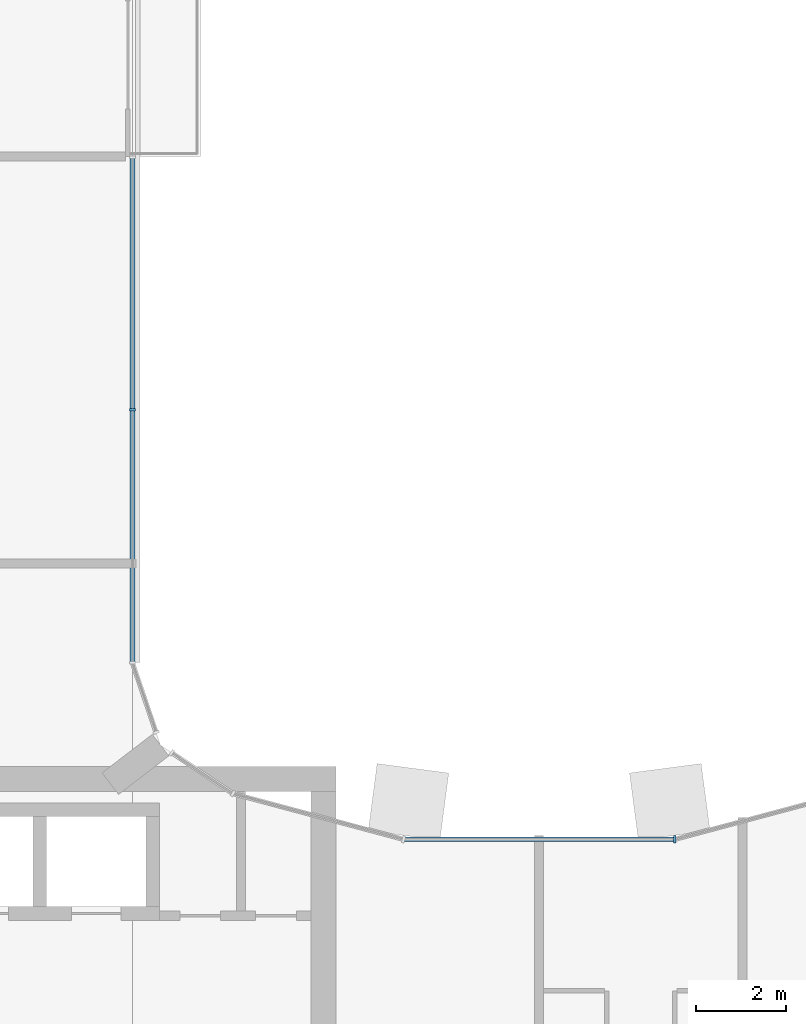
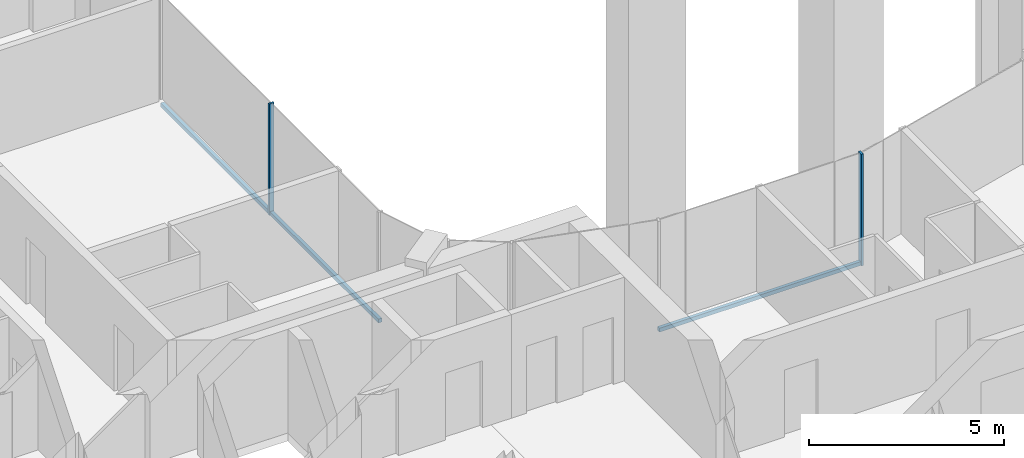
# One storey, part 5 of 17: 4 members, 2 elements without a shape of their own.
"""IFC4 building model written with IfcOpenShell, lengths in metres."""

from ifc_helpers import new_model, si_unit, direction, frame, origin, origin_2d, place, context, subcontext, project, spatial, rectangle, extrude, material, layer, layer_set, material_profile, profile_set, type_object, element, aggregate, save


model = new_model("IFC4")

# Units and contexts
model_context = context("Model", 3, precision=1e-05, world=origin(), true_north=direction((0.0, 1.0)))
body_context = subcontext(model_context, "Body", "Model", "MODEL_VIEW")
ifc_project = project(units=[si_unit("LENGTHUNIT", "METRE"), si_unit("AREAUNIT", "SQUARE_METRE"), si_unit("VOLUMEUNIT", "CUBIC_METRE"), si_unit("PLANEANGLEUNIT", "RADIAN"), si_unit("MASSUNIT", "GRAM", prefix="KILO")], contexts=[model_context])

# Site, building, storey
site_placement = place(None, origin())
site = spatial("IfcSite", under=ifc_project, at=site_placement, CompositionType="ELEMENT")
building_placement = place(site_placement, origin())
building = spatial("IfcBuilding", under=site, at=building_placement, Name="Plateau Cross Towers", CompositionType="ELEMENT")
storey_placement = place(building_placement, frame((0.0, 0.0, 190.89990234375)))
storey = spatial("IfcBuildingStorey", under=building, at=storey_placement, Name="L49", CompositionType="ELEMENT", Elevation=190.89990234375)

# Curtain wall, member
ifc_material_1 = material(Name="Dark low-iron glass", Category="glass")
ifc_layer_1 = layer(ifc_material_1, 0.239990234375)
ifc_layer_set_1 = layer_set([ifc_layer_1], Name="Dark low-iron glass")
curtain_wall_type_1 = type_object("IfcCurtainWallType", Name="Curtain wall flush unitised CW-B", PredefinedType="NOTDEFINED", material=ifc_layer_set_1)
curtain_wall_1_placement = place(storey_placement, origin())
curtain_wall_1 = element("IfcCurtainWall", 1, at=curtain_wall_1_placement, inside=storey, type_object=curtain_wall_type_1, Name="ENV/A/L49/A180_203", PredefinedType="NOTDEFINED")
ifc_material_2 = material(Name="Black anodised aluminium", Category="aluminium")
ifc_material_profile_1 = material_profile(ifc_material_2, rectangle(XDim=0.06005859375, YDim=0.139892578125, at=origin_2d()), Name="MULLION 60x140")
ifc_profile_set_1 = profile_set([ifc_material_profile_1], Name="Black anodised aluminium")
member_type_1 = type_object("IfcMemberType", Name="Mullion 60x140 flush unitised", PredefinedType="MULLION", material=ifc_profile_set_1)
member_1_placement = place(storey_placement, frame((18.0, 25.896240234375, -0.25), z_axis=(0.0, 0.0, 1.0), x_axis=(0.0, 1.0, 0.0)))
member_1 = element("IfcMember", 2, at=member_1_placement, type_object=member_type_1, Name="CW-B mullion 2", PredefinedType="MULLION", context=body_context, shape_type="SweptSolid", body=[
    extrude(rectangle(XDim=0.06005859375, YDim=0.139892578125, at=origin_2d()), origin(), (0.0, 0.0, 1.0), 3.5),
])

ifc_layer_2 = layer(ifc_material_1, 0.260009765625)
ifc_layer_set_2 = layer_set([ifc_layer_2], Name="Dark low-iron glass")
curtain_wall_type_2 = type_object("IfcCurtainWallType", Name="Curtain wall fluted unitised CW-A", PredefinedType="NOTDEFINED", material=ifc_layer_set_2)
curtain_wall_2_placement = place(storey_placement, origin())
curtain_wall_2 = element("IfcCurtainWall", 3, at=curtain_wall_2_placement, inside=storey, type_object=curtain_wall_type_2, Name="ENV/A/L49/A300_164", PredefinedType="NOTDEFINED")
ifc_material_profile_2 = material_profile(ifc_material_2, rectangle(XDim=0.06005859375, YDim=0.159912109375, at=origin_2d()), Name="MULLION 60x160")
ifc_profile_set_2 = profile_set([ifc_material_profile_2], Name="Black anodised aluminium")
member_type_2 = type_object("IfcMemberType", Name="Mullion 60x160 fluted unitised", PredefinedType="MULLION", material=ifc_profile_set_2)
member_2_placement = place(storey_placement, frame((30.0, 16.39306640625, -0.25), z_axis=(0.0, 0.0, 1.0), x_axis=(-1.0, 0.0, 0.0)))
member_2 = element("IfcMember", 4, at=member_2_placement, type_object=member_type_2, Name="CW-A mullion 1", PredefinedType="MULLION", context=body_context, shape_type="SweptSolid", body=[
    extrude(rectangle(XDim=0.06005859375, YDim=0.159912109375, at=origin_2d()), origin(), (0.0, 0.0, 1.0), 3.5),
])

# Member
ifc_material_profile_3 = material_profile(ifc_material_2, rectangle(XDim=0.10009765625, YDim=0.1201171875, at=origin_2d()), Name="TRANSOM 100x120")
ifc_profile_set_3 = profile_set([ifc_material_profile_3], Name="Black anodised aluminium")
member_type_3 = type_object("IfcMemberType", Name="Transom 100x120 flush unitised", PredefinedType="USERDEFINED", material=ifc_profile_set_3)
member_3_placement = place(storey_placement, frame((18.0, 20.30224609375, -0.18994140625), z_axis=(0.0, 1.0, 0.0), x_axis=(-1.0, 0.0, 0.0)))
member_3 = element("IfcMember", 5, at=member_3_placement, type_object=member_type_3, Name="CW-B transom", ObjectType="TRANSOM", PredefinedType="USERDEFINED", context=body_context, shape_type="SweptSolid", body=[
    extrude(rectangle(XDim=0.10009765625, YDim=0.1201171875, at=origin_2d()), origin(), (0.0, 0.0, 1.0), 11.187744140625),
])

aggregate(curtain_wall_1, [member_1, member_3])

ifc_material_profile_4 = material_profile(ifc_material_2, rectangle(XDim=0.10009765625, YDim=0.1201171875, at=origin_2d()), Name="TRANSOM 100x120")
ifc_profile_set_4 = profile_set([ifc_material_profile_4], Name="Black anodised aluminium")
member_type_4 = type_object("IfcMemberType", Name="Transom 100x120 fluted unitised", PredefinedType="USERDEFINED", material=ifc_profile_set_4)
member_4_placement = place(storey_placement, frame((30.0, 16.39306640625, -0.18994140625), z_axis=(-1.0, 0.0, 0.0), x_axis=(0.0, -1.0, 0.0)))
member_4 = element("IfcMember", 6, at=member_4_placement, type_object=member_type_4, Name="CW-A transom", ObjectType="TRANSOM", PredefinedType="USERDEFINED", context=body_context, shape_type="SweptSolid", body=[
    extrude(rectangle(XDim=0.10009765625, YDim=0.1201171875, at=origin_2d()), origin(), (0.0, 0.0, 1.0), 6.0),
])

aggregate(curtain_wall_2, [member_2, member_4])

save(model, "model.ifc")
